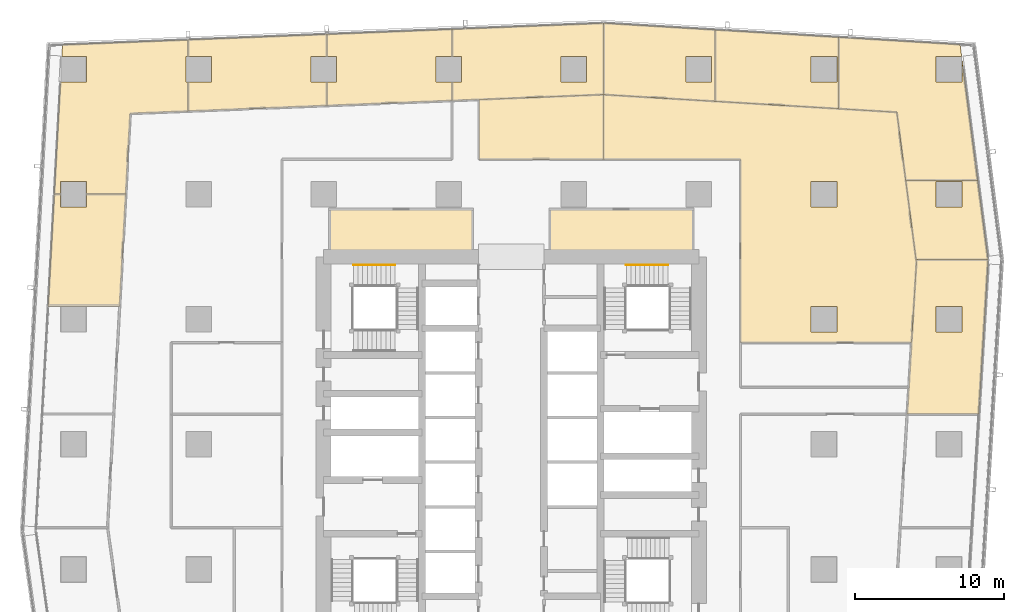
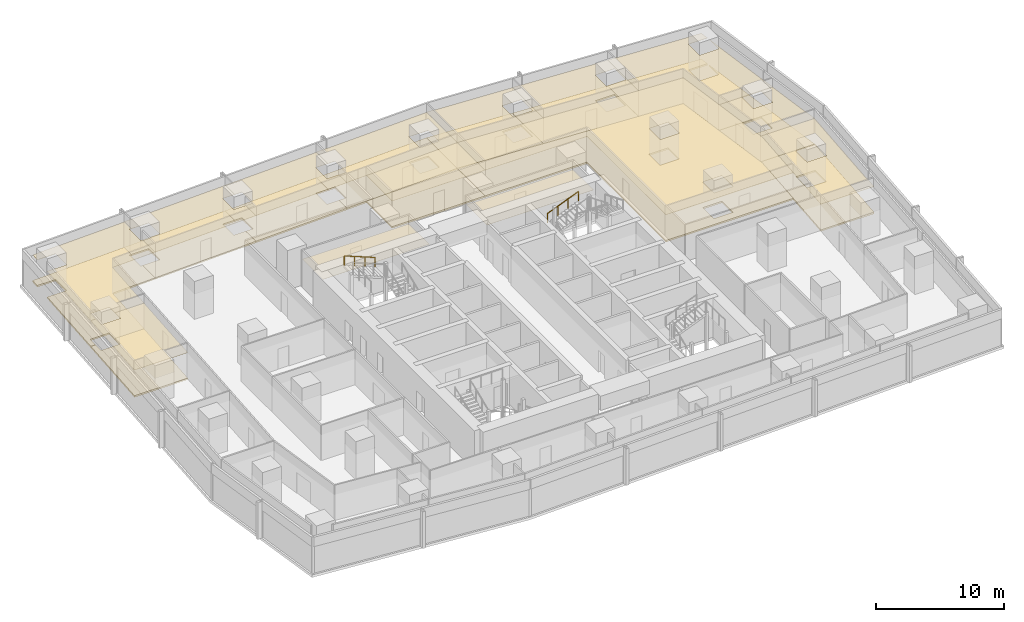
# One storey, part 40 of 40: 26 coverings, 2 railings.
"""IFC4 building model written with IfcOpenShell, lengths in metres."""

from ifc_helpers import new_model, si_unit, direction, frame, origin, origin_2d, place, context, subcontext, project, spatial, polyline, circle, outline, extrude, material, layer, layer_set, type_object, element, save


model = new_model("IFC4")

# Units and contexts
model_context = context("Model", 3, precision=1e-05, world=origin(), true_north=direction((0.0, 1.0)))
body_context = subcontext(model_context, "Body", "Model", "MODEL_VIEW")
ifc_project = project(units=[si_unit("LENGTHUNIT", "METRE"), si_unit("AREAUNIT", "SQUARE_METRE"), si_unit("VOLUMEUNIT", "CUBIC_METRE"), si_unit("PLANEANGLEUNIT", "RADIAN"), si_unit("MASSUNIT", "GRAM", prefix="KILO")], contexts=[model_context])

# Site, building, storey
site_placement = place(None, origin())
site = spatial("IfcSite", under=ifc_project, at=site_placement, CompositionType="ELEMENT")
building_placement = place(site_placement, origin())
building = spatial("IfcBuilding", under=site, at=building_placement, Name="Rekha Terrace Tower", CompositionType="ELEMENT")
storey_placement = place(building_placement, frame((0.0, 0.0, 117.800048828125)))
storey = spatial("IfcBuildingStorey", under=building, at=storey_placement, Name="L29", CompositionType="ELEMENT", Elevation=117.800048828125)

# Coverings
ifc_material_1 = material(Name="Mineral fibre tile in exposed grid", Category="finish")
ifc_layer_1 = layer(ifc_material_1, 0.02001953125)
ifc_layer_set_1 = layer_set([ifc_layer_1], Name="Mineral fibre tile in exposed grid")
covering_type_1 = type_object("IfcCoveringType", Name="CL1 600x1200 office grid ceiling", PredefinedType="CEILING", material=ifc_layer_set_1)
covering_1_placement = place(storey_placement, frame((0.0, 0.0, 2.579833984375)))
element("IfcCovering", 1, at=covering_1_placement, inside=storey, type_object=covering_type_1, Name="Ceiling L29-06", PredefinedType="CEILING", context=body_context, shape_type="SweptSolid", body=[
    extrude(outline(polyline([(65.029052734375, 46.0029296875), (64.50390625, 37.43701171875), (64.43408203125, 36.285888671875), (64.39404296875, 35.634033203125), (69.202880859375, 35.634033203125), (69.837890625, 46.0029296875), (65.029052734375, 46.0029296875)]), holes=[polyline([(68.06494140625, 41.135009765625), (66.3349609375, 41.135009765625), (66.3349609375, 42.864990234375), (68.06494140625, 42.864990234375), (68.06494140625, 41.135009765625)])]), origin(), (0.0, 0.0, 1.0), 0.02001953125),
])
covering_2_placement = place(storey_placement, frame((0.0, 0.0, 2.579833984375)))
element("IfcCovering", 2, at=covering_2_placement, inside=storey, type_object=covering_type_1, Name="Ceiling L29-07", PredefinedType="CEILING", context=body_context, shape_type="SweptSolid", body=[
    extrude(outline(polyline([(64.990966796875, 46.00390625), (69.83203125, 46.00390625), (69.136962890625, 51.337890625), (64.297119140625, 51.337890625), (64.990966796875, 46.00390625)]), holes=[polyline([(68.06494140625, 49.534912109375), (66.3349609375, 49.534912109375), (66.3349609375, 51.264892578125), (68.06494140625, 51.264892578125), (68.06494140625, 49.534912109375)])]), origin(), (0.0, 0.0, 1.0), 0.02001953125),
])
covering_3_placement = place(storey_placement, frame((0.0, 0.0, 2.579833984375)))
element("IfcCovering", 3, at=covering_3_placement, inside=storey, type_object=covering_type_1, Name="Ceiling L29-08", PredefinedType="CEILING", context=body_context, shape_type="SweptSolid", body=[
    extrude(outline(polyline([(67.948974609375, 60.462890625), (59.7880859375, 60.952880859375), (59.7880859375, 56.14501953125), (63.700927734375, 55.909912109375), (64.297119140625, 51.339111328125), (69.136962890625, 51.339111328125), (68.0849609375, 59.416015625), (68.06494140625, 59.4150390625), (68.06494140625, 57.93505859375), (66.3349609375, 57.93505859375), (66.3349609375, 59.6650390625), (68.052978515625, 59.6650390625), (67.948974609375, 60.462890625)])), origin(), (0.0, 0.0, 1.0), 0.02001953125),
])
covering_4_placement = place(storey_placement, frame((0.0, 0.0, 2.579833984375)))
element("IfcCovering", 4, at=covering_4_placement, inside=storey, type_object=covering_type_1, Name="Ceiling L29-09", PredefinedType="CEILING", context=body_context, shape_type="SweptSolid", body=[
    extrude(outline(polyline([(59.787109375, 56.14501953125), (59.787109375, 60.9541015625), (51.4951171875, 61.451904296875), (51.4951171875, 56.64306640625), (59.787109375, 56.14501953125)]), holes=[polyline([(59.6650390625, 57.93505859375), (57.93505859375, 57.93505859375), (57.93505859375, 59.6650390625), (59.6650390625, 59.6650390625), (59.6650390625, 57.93505859375)])]), origin(), (0.0, 0.0, 1.0), 0.02001953125),
])
covering_5_placement = place(storey_placement, frame((0.0, 0.0, 2.579833984375)))
element("IfcCovering", 5, at=covering_5_placement, inside=storey, type_object=covering_type_1, Name="Ceiling L29-10", PredefinedType="CEILING", context=body_context, shape_type="SweptSolid", body=[
    extrude(outline(polyline([(51.493896484375, 56.64306640625), (51.493896484375, 61.451904296875), (44.00390625, 61.902099609375), (44.00390625, 57.093017578125), (51.493896484375, 56.64306640625)]), holes=[polyline([(51.264892578125, 57.93505859375), (49.534912109375, 57.93505859375), (49.534912109375, 59.6650390625), (51.264892578125, 59.6650390625), (51.264892578125, 57.93505859375)])]), origin(), (0.0, 0.0, 1.0), 0.02001953125),
])
covering_6_placement = place(storey_placement, frame((0.0, 0.0, 2.579833984375)))
element("IfcCovering", 6, at=covering_6_placement, inside=storey, type_object=covering_type_1, Name="Ceiling L29-O1", PredefinedType="CEILING", context=body_context, shape_type="SweptSolid", body=[
    extrude(outline(polyline([(59.787109375, 56.14501953125), (51.493896484375, 56.64306640625), (44.00390625, 57.093017578125), (44.00390625, 52.75), (53.199951171875, 52.75), (53.199951171875, 40.43310546875), (64.68798828125, 40.43310546875), (65.01708984375, 45.806884765625), (64.990966796875, 46.0029296875), (64.294921875, 51.35498046875), (63.700927734375, 55.909912109375), (59.787109375, 56.14501953125)]), holes=[polyline([(59.6650390625, 41.135009765625), (57.93505859375, 41.135009765625), (57.93505859375, 42.864990234375), (59.6650390625, 42.864990234375), (59.6650390625, 41.135009765625)]), polyline([(59.6650390625, 49.534912109375), (57.93505859375, 49.534912109375), (57.93505859375, 51.264892578125), (59.6650390625, 51.264892578125), (59.6650390625, 49.534912109375)])]), origin(), (0.0, 0.0, 1.0), 0.02001953125),
])
covering_7_placement = place(storey_placement, frame((0.0, 0.0, 2.579833984375)))
element("IfcCovering", 7, at=covering_7_placement, inside=storey, type_object=covering_type_1, Name="Ceiling L29-13", PredefinedType="CEILING", context=body_context, shape_type="SweptSolid", body=[
    extrude(outline(polyline([(33.827880859375, 57.93505859375), (33.827880859375, 56.68701171875), (34.80810546875, 56.72607421875), (44.0029296875, 57.094970703125), (44.0029296875, 61.89892578125), (33.827880859375, 61.490966796875), (33.827880859375, 59.6650390625), (34.465087890625, 59.6650390625), (34.465087890625, 57.93505859375), (33.827880859375, 57.93505859375)]), holes=[polyline([(42.864990234375, 57.93505859375), (41.135009765625, 57.93505859375), (41.135009765625, 59.6650390625), (42.864990234375, 59.6650390625), (42.864990234375, 57.93505859375)])]), origin(), (0.0, 0.0, 1.0), 0.02001953125),
])
covering_8_placement = place(storey_placement, frame((0.0, 0.0, 2.579833984375)))
element("IfcCovering", 8, at=covering_8_placement, inside=storey, type_object=covering_type_1, Name="Ceiling L29-14", PredefinedType="CEILING", context=body_context, shape_type="SweptSolid", body=[
    extrude(outline(polyline([(26.06494140625, 57.93505859375), (25.4140625, 57.93505859375), (25.4140625, 56.35009765625), (33.826904296875, 56.68701171875), (33.826904296875, 57.93505859375), (32.735107421875, 57.93505859375), (32.735107421875, 59.6650390625), (33.826904296875, 59.6650390625), (33.826904296875, 61.490966796875), (25.4140625, 61.154052734375), (25.4140625, 59.6650390625), (26.06494140625, 59.6650390625), (26.06494140625, 57.93505859375)])), origin(), (0.0, 0.0, 1.0), 0.02001953125),
])
covering_9_placement = place(storey_placement, frame((0.0, 0.0, 2.579833984375)))
element("IfcCovering", 9, at=covering_9_placement, inside=storey, type_object=covering_type_1, Name="Ceiling L29-15", PredefinedType="CEILING", context=body_context, shape_type="SweptSolid", body=[
    extrude(outline(polyline([(16.10205078125, 57.93505859375), (16.10205078125, 55.97705078125), (25.4130859375, 56.35009765625), (25.4130859375, 57.93505859375), (24.3349609375, 57.93505859375), (24.3349609375, 59.6650390625), (25.4130859375, 59.6650390625), (25.4130859375, 61.154052734375), (16.10205078125, 60.781005859375), (16.10205078125, 59.6650390625), (17.6650390625, 59.6650390625), (17.6650390625, 57.93505859375), (16.10205078125, 57.93505859375)])), origin(), (0.0, 0.0, 1.0), 0.02001953125),
])
covering_10_placement = place(storey_placement, frame((0.0, 0.0, 2.579833984375)))
element("IfcCovering", 10, at=covering_10_placement, inside=storey, type_object=covering_type_1, Name="Ceiling L29-16", PredefinedType="CEILING", context=body_context, shape_type="SweptSolid", body=[
    extrude(outline(polyline([(9.264892578125, 57.93505859375), (7.51611328125, 57.93505859375), (7.10302734375, 50.403076171875), (7.534912109375, 50.403076171875), (7.534912109375, 51.264892578125), (9.264892578125, 51.264892578125), (9.264892578125, 50.403076171875), (11.909912109375, 50.403076171875), (12.20703125, 55.821044921875), (16.10107421875, 55.97705078125), (16.10107421875, 57.93505859375), (15.93505859375, 57.93505859375), (15.93505859375, 59.6650390625), (16.10107421875, 59.6650390625), (16.10107421875, 60.781005859375), (7.653076171875, 60.44189453125), (7.610107421875, 59.6650390625), (9.264892578125, 59.6650390625), (9.264892578125, 57.93505859375)])), origin(), (0.0, 0.0, 1.0), 0.02001953125),
])
covering_11_placement = place(storey_placement, frame((0.0, 0.0, 2.579833984375)))
element("IfcCovering", 11, at=covering_11_placement, inside=storey, type_object=covering_type_1, Name="Ceiling L29-17", PredefinedType="CEILING", context=body_context, shape_type="SweptSolid", body=[
    extrude(outline(polyline([(6.68994140625, 42.873046875), (11.4970703125, 42.873046875), (11.909912109375, 50.402099609375), (9.264892578125, 50.402099609375), (9.264892578125, 49.534912109375), (7.534912109375, 49.534912109375), (7.534912109375, 50.402099609375), (7.10302734375, 50.402099609375), (6.68994140625, 42.873046875)])), origin(), (0.0, 0.0, 1.0), 0.02001953125),
])
covering_12_placement = place(storey_placement, frame((0.0, 0.0, 2.579833984375)))
element("IfcCovering", 12, at=covering_12_placement, inside=storey, type_object=covering_type_1, Name="Ceiling L29-O2b", PredefinedType="CEILING", context=body_context, shape_type="SweptSolid", body=[
    extrude(outline(polyline([(44.0029296875, 52.75), (44.0029296875, 57.094970703125), (35.6259765625, 56.759033203125), (35.6259765625, 52.75), (44.0029296875, 52.75)])), origin(), (0.0, 0.0, 1.0), 0.02001953125),
])
ifc_material_2 = material(Name="Fibre cement board", Category="finish")
ifc_layer_2 = layer(ifc_material_2, 0.014892578125)
ifc_layer_set_2 = layer_set([ifc_layer_2], Name="Fibre cement board")
covering_type_2 = type_object("IfcCoveringType", Name="CL2 moisture-resistant board ceiling", PredefinedType="CEILING", material=ifc_layer_set_2)
covering_13_placement = place(storey_placement, frame((0.0, 0.0, 2.5849609375)))
element("IfcCovering", 13, at=covering_13_placement, inside=storey, type_object=covering_type_2, Name="Ceiling L29-WCF", PredefinedType="CEILING", context=body_context, shape_type="SweptSolid", body=[
    extrude(outline(polyline([(50.0, 49.39990234375), (40.39990234375, 49.39990234375), (40.39990234375, 46.199951171875), (50.0, 46.199951171875), (50.0, 49.39990234375)])), origin(), (0.0, 0.0, 1.0), 0.014892578125),
])
covering_14_placement = place(storey_placement, frame((0.0, 0.0, 2.5849609375)))
element("IfcCovering", 14, at=covering_14_placement, inside=storey, type_object=covering_type_2, Name="Ceiling L29-WCF2", PredefinedType="CEILING", context=body_context, shape_type="SweptSolid", body=[
    extrude(outline(polyline([(35.199951171875, 49.39990234375), (25.60009765625, 49.39990234375), (25.60009765625, 46.199951171875), (35.199951171875, 46.199951171875), (35.199951171875, 49.39990234375)])), origin(), (0.0, 0.0, 1.0), 0.014892578125),
])

# Railings
ifc_material_3 = material(Name="Stainless steel tube", Category="steel")
railing_type = type_object("IfcRailingType", Name="HR1 900 stair handrail", PredefinedType="HANDRAIL", material=ifc_material_3)
railing_1_placement = place(storey_placement, frame((45.52490234375, 45.639892578125, 1.375)))
element("IfcRailing", 15, at=railing_1_placement, inside=storey, type_object=railing_type, Name="Handrail ST2 L29 flight 2", PredefinedType="HANDRAIL", context=body_context, shape_type="SweptSolid", body=[
    extrude(circle(Radius=0.02392578125, at=origin_2d()), frame((0.0, 0.0, 0.8759765625), z_axis=(0.927443287984, 0.0, 0.373963831907), x_axis=(0.0, 1.0, 0.0)), (0.0, 0.0, 1.0), 3.00830078125),
    extrude(circle(Radius=0.02099609375, at=origin_2d()), origin(), (0.0, 0.0, 1.0), 0.851806640625),
    extrude(circle(Radius=0.02099609375, at=origin_2d()), frame((0.929931640625, 0.0, 0.375)), (0.0, 0.0, 1.0), 0.851806640625),
    extrude(circle(Radius=0.02099609375, at=origin_2d()), frame((1.860107421875, 0.0, 0.75)), (0.0, 0.0, 1.0), 0.851806640625),
    extrude(circle(Radius=0.02099609375, at=origin_2d()), frame((2.7900390625, 0.0, 1.125)), (0.0, 0.0, 1.0), 0.851806640625),
])
railing_2_placement = place(storey_placement, frame((29.989990234375, 45.639892578125, 2.625)))
element("IfcRailing", 16, at=railing_2_placement, inside=storey, type_object=railing_type, Name="Handrail ST4 L29 flight 3", PredefinedType="HANDRAIL", context=body_context, shape_type="SweptSolid", body=[
    extrude(circle(Radius=0.02392578125, at=origin_2d()), frame((0.0, 0.0, 0.8759765625), z_axis=(-0.927443287984, 0.0, 0.373963831907), x_axis=(0.0, -1.0, 0.0)), (0.0, 0.0, 1.0), 3.00830078125),
    extrude(circle(Radius=0.02099609375, at=origin_2d()), origin(), (0.0, 0.0, 1.0), 0.851806640625),
    extrude(circle(Radius=0.02099609375, at=origin_2d()), frame((-0.929931640625, 0.0, 0.375)), (0.0, 0.0, 1.0), 0.851806640625),
    extrude(circle(Radius=0.02099609375, at=origin_2d()), frame((-1.860107421875, 0.0, 0.75)), (0.0, 0.0, 1.0), 0.851806640625),
    extrude(circle(Radius=0.02099609375, at=origin_2d()), frame((-2.7900390625, 0.0, 1.125)), (0.0, 0.0, 1.0), 0.851806640625),
])

# Coverings
ifc_material_4 = material(Name="Calcium sulphate panels on steel pedestals", Category="steel")
ifc_layer_3 = layer(ifc_material_4, 0.14990234375)
ifc_layer_set_3 = layer_set([ifc_layer_3], Name="Calcium sulphate panels on steel pedestals")
covering_type_3 = type_object("IfcCoveringType", Name="RF1 150 raised access floor", PredefinedType="FLOORING", material=ifc_layer_set_3)
covering_15_placement = place(storey_placement, origin())
element("IfcCovering", 17, at=covering_15_placement, inside=storey, type_object=covering_type_3, Name="Raised floor L29-06", PredefinedType="FLOORING", context=body_context, shape_type="SweptSolid", body=[
    extrude(outline(polyline([(65.029052734375, 46.0029296875), (64.50390625, 37.43701171875), (64.43408203125, 36.285888671875), (64.39404296875, 35.634033203125), (69.202880859375, 35.634033203125), (69.837890625, 46.0029296875), (65.029052734375, 46.0029296875)]), holes=[polyline([(68.06494140625, 41.135009765625), (66.3349609375, 41.135009765625), (66.3349609375, 42.864990234375), (68.06494140625, 42.864990234375), (68.06494140625, 41.135009765625)])]), origin(), (0.0, 0.0, 1.0), 0.14990234375),
])
covering_16_placement = place(storey_placement, origin())
element("IfcCovering", 18, at=covering_16_placement, inside=storey, type_object=covering_type_3, Name="Raised floor L29-07", PredefinedType="FLOORING", context=body_context, shape_type="SweptSolid", body=[
    extrude(outline(polyline([(64.990966796875, 46.00390625), (69.83203125, 46.00390625), (69.136962890625, 51.337890625), (64.297119140625, 51.337890625), (64.990966796875, 46.00390625)]), holes=[polyline([(68.06494140625, 49.534912109375), (66.3349609375, 49.534912109375), (66.3349609375, 51.264892578125), (68.06494140625, 51.264892578125), (68.06494140625, 49.534912109375)])]), origin(), (0.0, 0.0, 1.0), 0.14990234375),
])
covering_17_placement = place(storey_placement, origin())
element("IfcCovering", 19, at=covering_17_placement, inside=storey, type_object=covering_type_3, Name="Raised floor L29-08", PredefinedType="FLOORING", context=body_context, shape_type="SweptSolid", body=[
    extrude(outline(polyline([(67.948974609375, 60.462890625), (59.7880859375, 60.952880859375), (59.7880859375, 56.14501953125), (63.700927734375, 55.909912109375), (64.297119140625, 51.339111328125), (69.136962890625, 51.339111328125), (68.0849609375, 59.416015625), (68.06494140625, 59.4150390625), (68.06494140625, 57.93505859375), (66.3349609375, 57.93505859375), (66.3349609375, 59.6650390625), (68.052978515625, 59.6650390625), (67.948974609375, 60.462890625)])), origin(), (0.0, 0.0, 1.0), 0.14990234375),
])
covering_18_placement = place(storey_placement, origin())
element("IfcCovering", 20, at=covering_18_placement, inside=storey, type_object=covering_type_3, Name="Raised floor L29-09", PredefinedType="FLOORING", context=body_context, shape_type="SweptSolid", body=[
    extrude(outline(polyline([(59.787109375, 56.14501953125), (59.787109375, 60.9541015625), (51.4951171875, 61.451904296875), (51.4951171875, 56.64306640625), (59.787109375, 56.14501953125)]), holes=[polyline([(59.6650390625, 57.93505859375), (57.93505859375, 57.93505859375), (57.93505859375, 59.6650390625), (59.6650390625, 59.6650390625), (59.6650390625, 57.93505859375)])]), origin(), (0.0, 0.0, 1.0), 0.14990234375),
])
covering_19_placement = place(storey_placement, origin())
element("IfcCovering", 21, at=covering_19_placement, inside=storey, type_object=covering_type_3, Name="Raised floor L29-10", PredefinedType="FLOORING", context=body_context, shape_type="SweptSolid", body=[
    extrude(outline(polyline([(51.493896484375, 56.64306640625), (51.493896484375, 61.451904296875), (44.00390625, 61.902099609375), (44.00390625, 57.093017578125), (51.493896484375, 56.64306640625)]), holes=[polyline([(51.264892578125, 57.93505859375), (49.534912109375, 57.93505859375), (49.534912109375, 59.6650390625), (51.264892578125, 59.6650390625), (51.264892578125, 57.93505859375)])]), origin(), (0.0, 0.0, 1.0), 0.14990234375),
])
covering_20_placement = place(storey_placement, origin())
element("IfcCovering", 22, at=covering_20_placement, inside=storey, type_object=covering_type_3, Name="Raised floor L29-O1", PredefinedType="FLOORING", context=body_context, shape_type="SweptSolid", body=[
    extrude(outline(polyline([(59.787109375, 56.14501953125), (51.493896484375, 56.64306640625), (44.00390625, 57.093017578125), (44.00390625, 52.75), (53.199951171875, 52.75), (53.199951171875, 40.43310546875), (64.68798828125, 40.43310546875), (65.01708984375, 45.806884765625), (64.990966796875, 46.0029296875), (64.294921875, 51.35498046875), (63.700927734375, 55.909912109375), (59.787109375, 56.14501953125)]), holes=[polyline([(59.6650390625, 41.135009765625), (57.93505859375, 41.135009765625), (57.93505859375, 42.864990234375), (59.6650390625, 42.864990234375), (59.6650390625, 41.135009765625)]), polyline([(59.6650390625, 49.534912109375), (57.93505859375, 49.534912109375), (57.93505859375, 51.264892578125), (59.6650390625, 51.264892578125), (59.6650390625, 49.534912109375)])]), origin(), (0.0, 0.0, 1.0), 0.14990234375),
])
covering_21_placement = place(storey_placement, origin())
element("IfcCovering", 23, at=covering_21_placement, inside=storey, type_object=covering_type_3, Name="Raised floor L29-13", PredefinedType="FLOORING", context=body_context, shape_type="SweptSolid", body=[
    extrude(outline(polyline([(33.827880859375, 57.93505859375), (33.827880859375, 56.68701171875), (34.80810546875, 56.72607421875), (44.0029296875, 57.094970703125), (44.0029296875, 61.89892578125), (33.827880859375, 61.490966796875), (33.827880859375, 59.6650390625), (34.465087890625, 59.6650390625), (34.465087890625, 57.93505859375), (33.827880859375, 57.93505859375)]), holes=[polyline([(42.864990234375, 57.93505859375), (41.135009765625, 57.93505859375), (41.135009765625, 59.6650390625), (42.864990234375, 59.6650390625), (42.864990234375, 57.93505859375)])]), origin(), (0.0, 0.0, 1.0), 0.14990234375),
])
covering_22_placement = place(storey_placement, origin())
element("IfcCovering", 24, at=covering_22_placement, inside=storey, type_object=covering_type_3, Name="Raised floor L29-14", PredefinedType="FLOORING", context=body_context, shape_type="SweptSolid", body=[
    extrude(outline(polyline([(26.06494140625, 57.93505859375), (25.4140625, 57.93505859375), (25.4140625, 56.35009765625), (33.826904296875, 56.68701171875), (33.826904296875, 57.93505859375), (32.735107421875, 57.93505859375), (32.735107421875, 59.6650390625), (33.826904296875, 59.6650390625), (33.826904296875, 61.490966796875), (25.4140625, 61.154052734375), (25.4140625, 59.6650390625), (26.06494140625, 59.6650390625), (26.06494140625, 57.93505859375)])), origin(), (0.0, 0.0, 1.0), 0.14990234375),
])
covering_23_placement = place(storey_placement, origin())
element("IfcCovering", 25, at=covering_23_placement, inside=storey, type_object=covering_type_3, Name="Raised floor L29-15", PredefinedType="FLOORING", context=body_context, shape_type="SweptSolid", body=[
    extrude(outline(polyline([(16.10205078125, 57.93505859375), (16.10205078125, 55.97705078125), (25.4130859375, 56.35009765625), (25.4130859375, 57.93505859375), (24.3349609375, 57.93505859375), (24.3349609375, 59.6650390625), (25.4130859375, 59.6650390625), (25.4130859375, 61.154052734375), (16.10205078125, 60.781005859375), (16.10205078125, 59.6650390625), (17.6650390625, 59.6650390625), (17.6650390625, 57.93505859375), (16.10205078125, 57.93505859375)])), origin(), (0.0, 0.0, 1.0), 0.14990234375),
])
covering_24_placement = place(storey_placement, origin())
element("IfcCovering", 26, at=covering_24_placement, inside=storey, type_object=covering_type_3, Name="Raised floor L29-16", PredefinedType="FLOORING", context=body_context, shape_type="SweptSolid", body=[
    extrude(outline(polyline([(9.264892578125, 57.93505859375), (7.51611328125, 57.93505859375), (7.10302734375, 50.403076171875), (7.534912109375, 50.403076171875), (7.534912109375, 51.264892578125), (9.264892578125, 51.264892578125), (9.264892578125, 50.403076171875), (11.909912109375, 50.403076171875), (12.20703125, 55.821044921875), (16.10107421875, 55.97705078125), (16.10107421875, 57.93505859375), (15.93505859375, 57.93505859375), (15.93505859375, 59.6650390625), (16.10107421875, 59.6650390625), (16.10107421875, 60.781005859375), (7.653076171875, 60.44189453125), (7.610107421875, 59.6650390625), (9.264892578125, 59.6650390625), (9.264892578125, 57.93505859375)])), origin(), (0.0, 0.0, 1.0), 0.14990234375),
])
covering_25_placement = place(storey_placement, origin())
element("IfcCovering", 27, at=covering_25_placement, inside=storey, type_object=covering_type_3, Name="Raised floor L29-17", PredefinedType="FLOORING", context=body_context, shape_type="SweptSolid", body=[
    extrude(outline(polyline([(6.68994140625, 42.873046875), (11.4970703125, 42.873046875), (11.909912109375, 50.402099609375), (9.264892578125, 50.402099609375), (9.264892578125, 49.534912109375), (7.534912109375, 49.534912109375), (7.534912109375, 50.402099609375), (7.10302734375, 50.402099609375), (6.68994140625, 42.873046875)])), origin(), (0.0, 0.0, 1.0), 0.14990234375),
])
covering_26_placement = place(storey_placement, origin())
element("IfcCovering", 28, at=covering_26_placement, inside=storey, type_object=covering_type_3, Name="Raised floor L29-O2b", PredefinedType="FLOORING", context=body_context, shape_type="SweptSolid", body=[
    extrude(outline(polyline([(44.0029296875, 52.75), (44.0029296875, 57.094970703125), (35.6259765625, 56.759033203125), (35.6259765625, 52.75), (44.0029296875, 52.75)])), origin(), (0.0, 0.0, 1.0), 0.14990234375),
])

save(model, "model.ifc")
